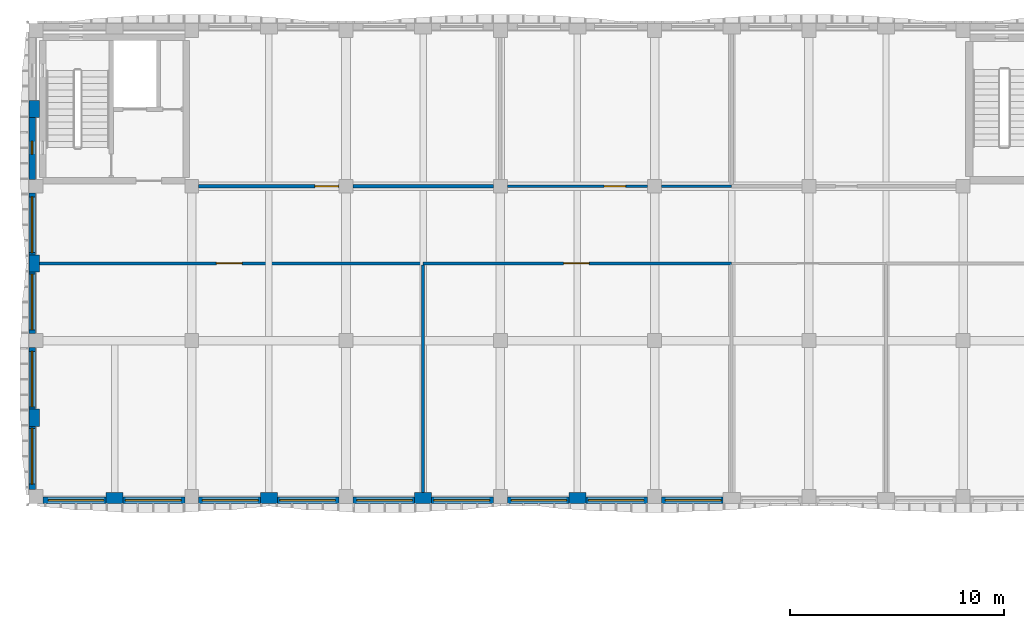
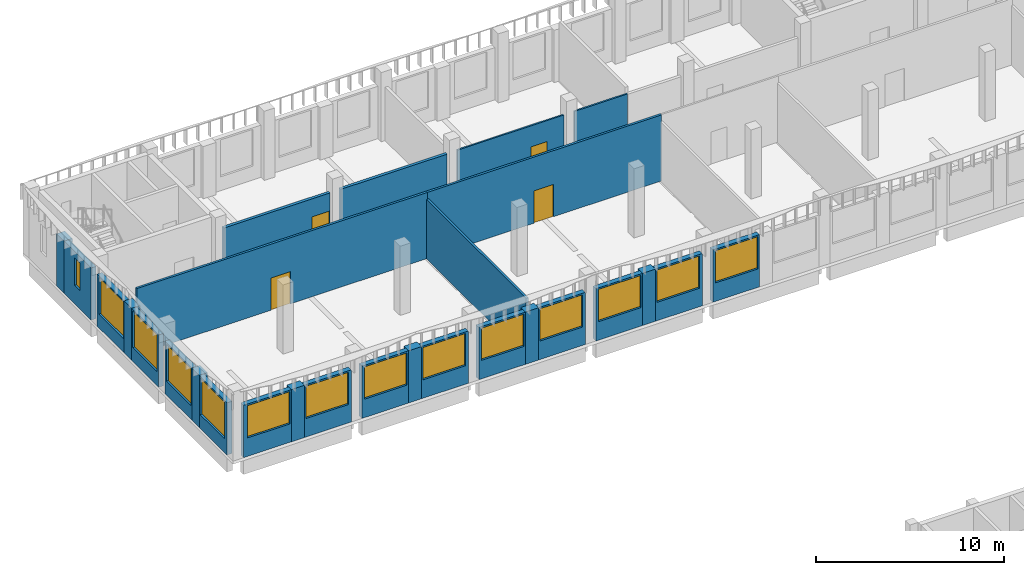
# One storey, part 24 of 54: 28 walls, 14 windows, 4 doors, 18 openings.
"""IFC4 building model written with IfcOpenShell, lengths in metres."""

from ifc_helpers import new_model, si_unit, direction, frame, frame_2d, origin, place, context, subcontext, project, spatial, rectangle, extrude, material, layer, layer_set, type_object, element, fill, save


model = new_model("IFC4")

# Units and contexts
model_context = context("Model", 3, precision=1e-05, world=origin(), true_north=direction((0.0, 1.0)))
body_context = subcontext(model_context, "Body", "Model", "MODEL_VIEW")
ifc_project = project(units=[si_unit("LENGTHUNIT", "METRE"), si_unit("AREAUNIT", "SQUARE_METRE"), si_unit("VOLUMEUNIT", "CUBIC_METRE"), si_unit("PLANEANGLEUNIT", "RADIAN"), si_unit("MASSUNIT", "GRAM", prefix="KILO")], contexts=[model_context])

# Site, building, storey
site_placement = place(None, origin())
site = spatial("IfcSite", under=ifc_project, at=site_placement, CompositionType="ELEMENT")
building_placement = place(site_placement, origin())
building = spatial("IfcBuilding", under=site, at=building_placement, Name="Ussher Court Research Institute", CompositionType="ELEMENT")
storey_placement = place(building_placement, frame((0.0, 0.0, 14.39990234375)))
storey = spatial("IfcBuildingStorey", under=building, at=storey_placement, Name="L03", CompositionType="ELEMENT", Elevation=14.39990234375)

# Wall, opening, door
ifc_material_1 = material(Name="Plasterboard on steel studs with mineral wool", Category="steel")
ifc_layer_1 = layer(ifc_material_1, 0.179931640625)
ifc_layer_set_1 = layer_set([ifc_layer_1], Name="Plasterboard on steel studs with mineral wool")
wall_type_1 = type_object("IfcWallType", Name="Acoustic twin-stud partition 180", PredefinedType="PARTITIONING", material=ifc_layer_set_1)
wall_1_placement = place(storey_placement, frame((10.52490234375, 83.199951171875, 0.0), z_axis=(0.0, 0.0, 1.0), x_axis=(1.0, 0.0, 0.0)))
wall_1 = element("IfcWall", 1, at=wall_1_placement, inside=storey, type_object=wall_type_1, Name="Partition", PredefinedType="PARTITIONING", context=body_context, shape_type="SweptSolid", body=[
    extrude(rectangle(XDim=6.550048828125, YDim=0.179931640625, at=frame_2d((3.27490234375, 0.0))), origin(), (0.0, 0.0, 1.0), 3.47021484375),
])
opening_1_placement = place(wall_1_placement, frame((5.425048828125, 0.0, 0.0)))
opening_1 = element("IfcOpeningElement", 2, at=opening_1_placement, cuts=wall_1, Name="Opening D03005", PredefinedType="OPENING", context=body_context, shape_type="SweptSolid", body=[
    extrude(rectangle(XDim=1.10009765625, YDim=2.300048828125, at=frame_2d((0.550048828125, 1.14990234375))), frame((0.0, 0.10009765625, 0.0), z_axis=(0.0, -1.0, 0.0), x_axis=(1.0, 0.0, 0.0)), (0.0, 0.0, 1.0), 0.199951171875),
])
ifc_material_2 = material(Name="Veneered timber door", Category="wood")
door_type_1 = type_object("IfcDoorType", Name="Seminar room door 1100x2300", OperationType="NOTDEFINED", PredefinedType="DOOR", material=ifc_material_2)
door_1_placement = place(opening_1_placement, origin())
door_1 = element("IfcDoor", 3, at=door_1_placement, inside=storey, type_object=door_type_1, Name="Door D03005", OperationType="SINGLE_SWING_RIGHT", OverallHeight=2.300048828125, OverallWidth=1.10009765625, PredefinedType="DOOR", context=body_context, shape_type="SweptSolid", body=[
    extrude(rectangle(XDim=1.10009765625, YDim=2.300048828125, at=frame_2d((0.550048828125, 1.14990234375))), frame((0.0, 0.02490234375, 0.0), z_axis=(0.0, -1.0, 0.0), x_axis=(1.0, 0.0, 0.0)), (0.0, 0.0, 1.0), 0.050048828125),
])
fill(opening_1, door_1)

# Wall
wall_2_placement = place(storey_placement, frame((17.72509765625, 83.199951171875, 0.0), z_axis=(0.0, 0.0, 1.0), x_axis=(1.0, 0.0, 0.0)))
element("IfcWall", 4, at=wall_2_placement, inside=storey, type_object=wall_type_1, Name="Partition", PredefinedType="PARTITIONING", context=body_context, shape_type="SweptSolid", body=[
    extrude(rectangle(XDim=6.5498046875, YDim=0.179931640625, at=frame_2d((3.27490234375, 0.0))), origin(), (0.0, 0.0, 1.0), 3.47021484375),
])

# Wall, opening, window
ifc_material_3 = material(Name="Blockwork with cream render", Category="masonry")
ifc_layer_2 = layer(ifc_material_3, 0.300048828125)
ifc_layer_set_2 = layer_set([ifc_layer_2], Name="Blockwork with cream render")
wall_type_2 = type_object("IfcWallType", Name="External wall 300 cream render", PredefinedType="SOLIDWALL", material=ifc_layer_set_2)
wall_3_placement = place(storey_placement, frame((2.75, 69.050048828125, 0.0), z_axis=(0.0, 0.0, 1.0), x_axis=(0.0, 1.0, 0.0)))
wall_3 = element("IfcWall", 5, at=wall_3_placement, inside=storey, type_object=wall_type_2, Name="External wall EW1 L03", PredefinedType="SOLIDWALL", context=body_context, shape_type="SweptSolid", body=[
    extrude(rectangle(XDim=2.949951171875, YDim=0.300048828125, at=frame_2d((1.47509765625, 0.0))), origin(), (0.0, 0.0, 1.0), 3.400146484375),
])
opening_2_placement = place(wall_3_placement, frame((0.25, 0.0, 0.89990234375)))
opening_2 = element("IfcOpeningElement", 6, at=opening_2_placement, cuts=wall_3, Name="Opening W01", PredefinedType="OPENING", context=body_context, shape_type="SweptSolid", body=[
    extrude(rectangle(XDim=2.60009765625, YDim=2.39990234375, at=frame_2d((1.300048828125, 1.199951171875))), frame((0.0, 0.16015625, 0.0), z_axis=(0.0, -1.0, 0.0), x_axis=(1.0, 0.0, 0.0)), (0.0, 0.0, 1.0), 0.320068359375),
])
ifc_material_4 = material(Name="Bronze anodised aluminium with double glazing", Category="aluminium")
window_type_1 = type_object("IfcWindowType", Name="Laboratory bay window 2600x2400", PartitioningType="DOUBLE_PANEL_VERTICAL", PredefinedType="WINDOW", material=ifc_material_4)
window_1_placement = place(opening_2_placement, origin())
window_1 = element("IfcWindow", 7, at=window_1_placement, inside=storey, type_object=window_type_1, Name="Window W01 L03", OverallHeight=2.39990234375, OverallWidth=2.60009765625, PartitioningType="SINGLE_PANEL", PredefinedType="WINDOW", context=body_context, shape_type="SweptSolid", body=[
    extrude(rectangle(XDim=2.60009765625, YDim=2.39990234375, at=frame_2d((1.300048828125, 1.199951171875))), frame((0.0, 0.030029296875, 0.0), z_axis=(0.0, -1.0, 0.0), x_axis=(1.0, 0.0, 0.0)), (0.0, 0.0, 1.0), 0.06005859375),
])
fill(opening_2, window_1)

wall_4_placement = place(storey_placement, frame((2.75, 72.800048828125, 0.0), z_axis=(0.0, 0.0, 1.0), x_axis=(0.0, 1.0, 0.0)))
wall_4 = element("IfcWall", 8, at=wall_4_placement, inside=storey, type_object=wall_type_2, Name="External wall EW1 L03", PredefinedType="SOLIDWALL", context=body_context, shape_type="SweptSolid", body=[
    extrude(rectangle(XDim=2.875, YDim=0.300048828125, at=frame_2d((1.4375, 0.0))), origin(), (0.0, 0.0, 1.0), 3.400146484375),
])
opening_3_placement = place(wall_4_placement, frame((0.10009765625, 0.0, 0.89990234375)))
opening_3 = element("IfcOpeningElement", 9, at=opening_3_placement, cuts=wall_4, Name="Opening W01", PredefinedType="OPENING", context=body_context, shape_type="SweptSolid", body=[
    extrude(rectangle(XDim=2.60009765625, YDim=2.39990234375, at=frame_2d((1.300048828125, 1.199951171875))), frame((0.0, 0.16015625, 0.0), z_axis=(0.0, -1.0, 0.0), x_axis=(1.0, 0.0, 0.0)), (0.0, 0.0, 1.0), 0.320068359375),
])
window_2_placement = place(opening_3_placement, origin())
window_2 = element("IfcWindow", 10, at=window_2_placement, inside=storey, type_object=window_type_1, Name="Window W01 L03", OverallHeight=2.39990234375, OverallWidth=2.60009765625, PartitioningType="SINGLE_PANEL", PredefinedType="WINDOW", context=body_context, shape_type="SweptSolid", body=[
    extrude(rectangle(XDim=2.60009765625, YDim=2.39990234375, at=frame_2d((1.300048828125, 1.199951171875))), frame((0.0, 0.030029296875, 0.0), z_axis=(0.0, -1.0, 0.0), x_axis=(1.0, 0.0, 0.0)), (0.0, 0.0, 1.0), 0.06005859375),
])
fill(opening_3, window_2)

wall_5_placement = place(storey_placement, frame((2.75, 76.324951171875, 0.0), z_axis=(0.0, 0.0, 1.0), x_axis=(0.0, 1.0, 0.0)))
wall_5 = element("IfcWall", 11, at=wall_5_placement, inside=storey, type_object=wall_type_2, Name="External wall EW1 L03", PredefinedType="SOLIDWALL", context=body_context, shape_type="SweptSolid", body=[
    extrude(rectangle(XDim=2.875, YDim=0.300048828125, at=frame_2d((1.4375, 0.0))), origin(), (0.0, 0.0, 1.0), 3.400146484375),
])
opening_4_placement = place(wall_5_placement, frame((0.175048828125, 0.0, 0.89990234375)))
opening_4 = element("IfcOpeningElement", 12, at=opening_4_placement, cuts=wall_5, Name="Opening W01", PredefinedType="OPENING", context=body_context, shape_type="SweptSolid", body=[
    extrude(rectangle(XDim=2.60009765625, YDim=2.39990234375, at=frame_2d((1.300048828125, 1.199951171875))), frame((0.0, 0.16015625, 0.0), z_axis=(0.0, -1.0, 0.0), x_axis=(1.0, 0.0, 0.0)), (0.0, 0.0, 1.0), 0.320068359375),
])
window_3_placement = place(opening_4_placement, origin())
window_3 = element("IfcWindow", 13, at=window_3_placement, inside=storey, type_object=window_type_1, Name="Window W01 L03", OverallHeight=2.39990234375, OverallWidth=2.60009765625, PartitioningType="SINGLE_PANEL", PredefinedType="WINDOW", context=body_context, shape_type="SweptSolid", body=[
    extrude(rectangle(XDim=2.60009765625, YDim=2.39990234375, at=frame_2d((1.300048828125, 1.199951171875))), frame((0.0, 0.030029296875, 0.0), z_axis=(0.0, -1.0, 0.0), x_axis=(1.0, 0.0, 0.0)), (0.0, 0.0, 1.0), 0.06005859375),
])
fill(opening_4, window_3)

wall_6_placement = place(storey_placement, frame((2.75, 80.0, 0.0), z_axis=(0.0, 0.0, 1.0), x_axis=(0.0, 1.0, 0.0)))
wall_6 = element("IfcWall", 14, at=wall_6_placement, inside=storey, type_object=wall_type_2, Name="External wall EW1 L03", PredefinedType="SOLIDWALL", context=body_context, shape_type="SweptSolid", body=[
    extrude(rectangle(XDim=2.875, YDim=0.300048828125, at=frame_2d((1.4375, 0.0))), origin(), (0.0, 0.0, 1.0), 3.400146484375),
])
opening_5_placement = place(wall_6_placement, frame((0.10009765625, 0.0, 0.89990234375)))
opening_5 = element("IfcOpeningElement", 15, at=opening_5_placement, cuts=wall_6, Name="Opening W01", PredefinedType="OPENING", context=body_context, shape_type="SweptSolid", body=[
    extrude(rectangle(XDim=2.60009765625, YDim=2.39990234375, at=frame_2d((1.300048828125, 1.199951171875))), frame((0.0, 0.16015625, 0.0), z_axis=(0.0, -1.0, 0.0), x_axis=(1.0, 0.0, 0.0)), (0.0, 0.0, 1.0), 0.320068359375),
])
window_4_placement = place(opening_5_placement, origin())
window_4 = element("IfcWindow", 16, at=window_4_placement, inside=storey, type_object=window_type_1, Name="Window W01 L03", OverallHeight=2.39990234375, OverallWidth=2.60009765625, PartitioningType="SINGLE_PANEL", PredefinedType="WINDOW", context=body_context, shape_type="SweptSolid", body=[
    extrude(rectangle(XDim=2.60009765625, YDim=2.39990234375, at=frame_2d((1.300048828125, 1.199951171875))), frame((0.0, 0.030029296875, 0.0), z_axis=(0.0, -1.0, 0.0), x_axis=(1.0, 0.0, 0.0)), (0.0, 0.0, 1.0), 0.06005859375),
])
fill(opening_5, window_4)

wall_7_placement = place(storey_placement, frame((35.0, 68.550048828125, 0.0), z_axis=(0.0, 0.0, 1.0), x_axis=(-1.0, 0.0, 0.0)))
wall_7 = element("IfcWall", 17, at=wall_7_placement, inside=storey, type_object=wall_type_2, Name="External wall EW1 L03", PredefinedType="SOLIDWALL", context=body_context, shape_type="SweptSolid", body=[
    extrude(rectangle(XDim=2.875, YDim=0.300048828125, at=frame_2d((1.4375, 0.0))), origin(), (0.0, 0.0, 1.0), 3.400146484375),
])
opening_6_placement = place(wall_7_placement, frame((0.10009765625, 0.0, 1.199951171875)))
opening_6 = element("IfcOpeningElement", 18, at=opening_6_placement, cuts=wall_7, Name="Opening W08", PredefinedType="OPENING", context=body_context, shape_type="SweptSolid", body=[
    extrude(rectangle(XDim=2.60009765625, YDim=2.10009765625, at=frame_2d((1.300048828125, 1.050048828125))), frame((0.0, 0.16015625, 0.0), z_axis=(0.0, -1.0, 0.0), x_axis=(1.0, 0.0, 0.0)), (0.0, 0.0, 1.0), 0.320068359375),
])
ifc_material_5 = material(Name="Bronze anodised aluminium with double glazing", Category="aluminium")
window_type_2 = type_object("IfcWindowType", Name="Dry laboratory bay window 2600x2100", PartitioningType="DOUBLE_PANEL_VERTICAL", PredefinedType="WINDOW", material=ifc_material_5)
window_5_placement = place(opening_6_placement, origin())
window_5 = element("IfcWindow", 19, at=window_5_placement, inside=storey, type_object=window_type_2, Name="Window W08 L03", OverallHeight=2.10009765625, OverallWidth=2.60009765625, PartitioningType="SINGLE_PANEL", PredefinedType="WINDOW", context=body_context, shape_type="SweptSolid", body=[
    extrude(rectangle(XDim=2.60009765625, YDim=2.10009765625, at=frame_2d((1.300048828125, 1.050048828125))), frame((0.0, 0.030029296875, 0.0), z_axis=(0.0, -1.0, 0.0), x_axis=(1.0, 0.0, 0.0)), (0.0, 0.0, 1.0), 0.06005859375),
])
fill(opening_6, window_5)

wall_8_placement = place(storey_placement, frame((31.47509765625, 68.550048828125, 0.0), z_axis=(0.0, 0.0, 1.0), x_axis=(-1.0, 0.0, 0.0)))
wall_8 = element("IfcWall", 20, at=wall_8_placement, inside=storey, type_object=wall_type_2, Name="External wall EW1 L03", PredefinedType="SOLIDWALL", context=body_context, shape_type="SweptSolid", body=[
    extrude(rectangle(XDim=2.875, YDim=0.300048828125, at=frame_2d((1.4375, 0.0))), origin(), (0.0, 0.0, 1.0), 3.400146484375),
])
opening_7_placement = place(wall_8_placement, frame((0.175048828125, 0.0, 1.199951171875)))
opening_7 = element("IfcOpeningElement", 21, at=opening_7_placement, cuts=wall_8, Name="Opening W08", PredefinedType="OPENING", context=body_context, shape_type="SweptSolid", body=[
    extrude(rectangle(XDim=2.60009765625, YDim=2.10009765625, at=frame_2d((1.300048828125, 1.050048828125))), frame((0.0, 0.16015625, 0.0), z_axis=(0.0, -1.0, 0.0), x_axis=(1.0, 0.0, 0.0)), (0.0, 0.0, 1.0), 0.320068359375),
])
window_6_placement = place(opening_7_placement, origin())
window_6 = element("IfcWindow", 22, at=window_6_placement, inside=storey, type_object=window_type_2, Name="Window W08 L03", OverallHeight=2.10009765625, OverallWidth=2.60009765625, PartitioningType="SINGLE_PANEL", PredefinedType="WINDOW", context=body_context, shape_type="SweptSolid", body=[
    extrude(rectangle(XDim=2.60009765625, YDim=2.10009765625, at=frame_2d((1.300048828125, 1.050048828125))), frame((0.0, 0.030029296875, 0.0), z_axis=(0.0, -1.0, 0.0), x_axis=(1.0, 0.0, 0.0)), (0.0, 0.0, 1.0), 0.06005859375),
])
fill(opening_7, window_6)

wall_9_placement = place(storey_placement, frame((27.800048828125, 68.550048828125, 0.0), z_axis=(0.0, 0.0, 1.0), x_axis=(-1.0, 0.0, 0.0)))
wall_9 = element("IfcWall", 23, at=wall_9_placement, inside=storey, type_object=wall_type_2, Name="External wall EW1 L03", PredefinedType="SOLIDWALL", context=body_context, shape_type="SweptSolid", body=[
    extrude(rectangle(XDim=2.875, YDim=0.300048828125, at=frame_2d((1.4375, 0.0))), origin(), (0.0, 0.0, 1.0), 3.400146484375),
])
opening_8_placement = place(wall_9_placement, frame((0.10009765625, 0.0, 1.199951171875)))
opening_8 = element("IfcOpeningElement", 24, at=opening_8_placement, cuts=wall_9, Name="Opening W08", PredefinedType="OPENING", context=body_context, shape_type="SweptSolid", body=[
    extrude(rectangle(XDim=2.60009765625, YDim=2.10009765625, at=frame_2d((1.300048828125, 1.050048828125))), frame((0.0, 0.16015625, 0.0), z_axis=(0.0, -1.0, 0.0), x_axis=(1.0, 0.0, 0.0)), (0.0, 0.0, 1.0), 0.320068359375),
])
window_7_placement = place(opening_8_placement, origin())
window_7 = element("IfcWindow", 25, at=window_7_placement, inside=storey, type_object=window_type_2, Name="Window W08 L03", OverallHeight=2.10009765625, OverallWidth=2.60009765625, PartitioningType="SINGLE_PANEL", PredefinedType="WINDOW", context=body_context, shape_type="SweptSolid", body=[
    extrude(rectangle(XDim=2.60009765625, YDim=2.10009765625, at=frame_2d((1.300048828125, 1.050048828125))), frame((0.0, 0.030029296875, 0.0), z_axis=(0.0, -1.0, 0.0), x_axis=(1.0, 0.0, 0.0)), (0.0, 0.0, 1.0), 0.06005859375),
])
fill(opening_8, window_7)

wall_10_placement = place(storey_placement, frame((24.27490234375, 68.550048828125, 0.0), z_axis=(0.0, 0.0, 1.0), x_axis=(-1.0, 0.0, 0.0)))
wall_10 = element("IfcWall", 26, at=wall_10_placement, inside=storey, type_object=wall_type_2, Name="External wall EW1 L03", PredefinedType="SOLIDWALL", context=body_context, shape_type="SweptSolid", body=[
    extrude(rectangle(XDim=2.875, YDim=0.300048828125, at=frame_2d((1.4375, 0.0))), origin(), (0.0, 0.0, 1.0), 3.400146484375),
])
opening_9_placement = place(wall_10_placement, frame((0.175048828125, 0.0, 1.199951171875)))
opening_9 = element("IfcOpeningElement", 27, at=opening_9_placement, cuts=wall_10, Name="Opening W08", PredefinedType="OPENING", context=body_context, shape_type="SweptSolid", body=[
    extrude(rectangle(XDim=2.60009765625, YDim=2.10009765625, at=frame_2d((1.300048828125, 1.050048828125))), frame((0.0, 0.16015625, 0.0), z_axis=(0.0, -1.0, 0.0), x_axis=(1.0, 0.0, 0.0)), (0.0, 0.0, 1.0), 0.320068359375),
])
window_8_placement = place(opening_9_placement, origin())
window_8 = element("IfcWindow", 28, at=window_8_placement, inside=storey, type_object=window_type_2, Name="Window W08 L03", OverallHeight=2.10009765625, OverallWidth=2.60009765625, PartitioningType="SINGLE_PANEL", PredefinedType="WINDOW", context=body_context, shape_type="SweptSolid", body=[
    extrude(rectangle(XDim=2.60009765625, YDim=2.10009765625, at=frame_2d((1.300048828125, 1.050048828125))), frame((0.0, 0.030029296875, 0.0), z_axis=(0.0, -1.0, 0.0), x_axis=(1.0, 0.0, 0.0)), (0.0, 0.0, 1.0), 0.06005859375),
])
fill(opening_9, window_8)

wall_11_placement = place(storey_placement, frame((20.60009765625, 68.550048828125, 0.0), z_axis=(0.0, 0.0, 1.0), x_axis=(-1.0, 0.0, 0.0)))
wall_11 = element("IfcWall", 29, at=wall_11_placement, inside=storey, type_object=wall_type_2, Name="External wall EW1 L03", PredefinedType="SOLIDWALL", context=body_context, shape_type="SweptSolid", body=[
    extrude(rectangle(XDim=2.875, YDim=0.300048828125, at=frame_2d((1.4375, 0.0))), origin(), (0.0, 0.0, 1.0), 3.400146484375),
])
opening_10_placement = place(wall_11_placement, frame((0.10009765625, 0.0, 1.199951171875)))
opening_10 = element("IfcOpeningElement", 30, at=opening_10_placement, cuts=wall_11, Name="Opening W08", PredefinedType="OPENING", context=body_context, shape_type="SweptSolid", body=[
    extrude(rectangle(XDim=2.60009765625, YDim=2.10009765625, at=frame_2d((1.300048828125, 1.050048828125))), frame((0.0, 0.16015625, 0.0), z_axis=(0.0, -1.0, 0.0), x_axis=(1.0, 0.0, 0.0)), (0.0, 0.0, 1.0), 0.320068359375),
])
window_9_placement = place(opening_10_placement, origin())
window_9 = element("IfcWindow", 31, at=window_9_placement, inside=storey, type_object=window_type_2, Name="Window W08 L03", OverallHeight=2.10009765625, OverallWidth=2.60009765625, PartitioningType="SINGLE_PANEL", PredefinedType="WINDOW", context=body_context, shape_type="SweptSolid", body=[
    extrude(rectangle(XDim=2.60009765625, YDim=2.10009765625, at=frame_2d((1.300048828125, 1.050048828125))), frame((0.0, 0.030029296875, 0.0), z_axis=(0.0, -1.0, 0.0), x_axis=(1.0, 0.0, 0.0)), (0.0, 0.0, 1.0), 0.06005859375),
])
fill(opening_10, window_9)

wall_12_placement = place(storey_placement, frame((17.074951171875, 68.550048828125, 0.0), z_axis=(0.0, 0.0, 1.0), x_axis=(-1.0, 0.0, 0.0)))
wall_12 = element("IfcWall", 32, at=wall_12_placement, inside=storey, type_object=wall_type_2, Name="External wall EW1 L03", PredefinedType="SOLIDWALL", context=body_context, shape_type="SweptSolid", body=[
    extrude(rectangle(XDim=2.875, YDim=0.300048828125, at=frame_2d((1.4375, 0.0))), origin(), (0.0, 0.0, 1.0), 3.400146484375),
])
opening_11_placement = place(wall_12_placement, frame((0.175048828125, 0.0, 1.199951171875)))
opening_11 = element("IfcOpeningElement", 33, at=opening_11_placement, cuts=wall_12, Name="Opening W08", PredefinedType="OPENING", context=body_context, shape_type="SweptSolid", body=[
    extrude(rectangle(XDim=2.60009765625, YDim=2.10009765625, at=frame_2d((1.300048828125, 1.050048828125))), frame((0.0, 0.16015625, 0.0), z_axis=(0.0, -1.0, 0.0), x_axis=(1.0, 0.0, 0.0)), (0.0, 0.0, 1.0), 0.320068359375),
])
window_10_placement = place(opening_11_placement, origin())
window_10 = element("IfcWindow", 34, at=window_10_placement, inside=storey, type_object=window_type_2, Name="Window W08 L03", OverallHeight=2.10009765625, OverallWidth=2.60009765625, PartitioningType="SINGLE_PANEL", PredefinedType="WINDOW", context=body_context, shape_type="SweptSolid", body=[
    extrude(rectangle(XDim=2.60009765625, YDim=2.10009765625, at=frame_2d((1.300048828125, 1.050048828125))), frame((0.0, 0.030029296875, 0.0), z_axis=(0.0, -1.0, 0.0), x_axis=(1.0, 0.0, 0.0)), (0.0, 0.0, 1.0), 0.06005859375),
])
fill(opening_11, window_10)

wall_13_placement = place(storey_placement, frame((13.39990234375, 68.550048828125, 0.0), z_axis=(0.0, 0.0, 1.0), x_axis=(-1.0, 0.0, 0.0)))
wall_13 = element("IfcWall", 35, at=wall_13_placement, inside=storey, type_object=wall_type_2, Name="External wall EW1 L03", PredefinedType="SOLIDWALL", context=body_context, shape_type="SweptSolid", body=[
    extrude(rectangle(XDim=2.875, YDim=0.300048828125, at=frame_2d((1.4375, 0.0))), origin(), (0.0, 0.0, 1.0), 3.400146484375),
])
opening_12_placement = place(wall_13_placement, frame((0.10009765625, 0.0, 1.199951171875)))
opening_12 = element("IfcOpeningElement", 36, at=opening_12_placement, cuts=wall_13, Name="Opening W08", PredefinedType="OPENING", context=body_context, shape_type="SweptSolid", body=[
    extrude(rectangle(XDim=2.60009765625, YDim=2.10009765625, at=frame_2d((1.300048828125, 1.050048828125))), frame((0.0, 0.16015625, 0.0), z_axis=(0.0, -1.0, 0.0), x_axis=(1.0, 0.0, 0.0)), (0.0, 0.0, 1.0), 0.320068359375),
])
window_11_placement = place(opening_12_placement, origin())
window_11 = element("IfcWindow", 37, at=window_11_placement, inside=storey, type_object=window_type_2, Name="Window W08 L03", OverallHeight=2.10009765625, OverallWidth=2.60009765625, PartitioningType="SINGLE_PANEL", PredefinedType="WINDOW", context=body_context, shape_type="SweptSolid", body=[
    extrude(rectangle(XDim=2.60009765625, YDim=2.10009765625, at=frame_2d((1.300048828125, 1.050048828125))), frame((0.0, 0.030029296875, 0.0), z_axis=(0.0, -1.0, 0.0), x_axis=(1.0, 0.0, 0.0)), (0.0, 0.0, 1.0), 0.06005859375),
])
fill(opening_12, window_11)

wall_14_placement = place(storey_placement, frame((9.875, 68.550048828125, 0.0), z_axis=(0.0, 0.0, 1.0), x_axis=(-1.0, 0.0, 0.0)))
wall_14 = element("IfcWall", 38, at=wall_14_placement, inside=storey, type_object=wall_type_2, Name="External wall EW1 L03", PredefinedType="SOLIDWALL", context=body_context, shape_type="SweptSolid", body=[
    extrude(rectangle(XDim=2.875, YDim=0.300048828125, at=frame_2d((1.4375, 0.0))), origin(), (0.0, 0.0, 1.0), 3.400146484375),
])
opening_13_placement = place(wall_14_placement, frame((0.175048828125, 0.0, 1.199951171875)))
opening_13 = element("IfcOpeningElement", 39, at=opening_13_placement, cuts=wall_14, Name="Opening W08", PredefinedType="OPENING", context=body_context, shape_type="SweptSolid", body=[
    extrude(rectangle(XDim=2.60009765625, YDim=2.10009765625, at=frame_2d((1.300048828125, 1.050048828125))), frame((0.0, 0.16015625, 0.0), z_axis=(0.0, -1.0, 0.0), x_axis=(1.0, 0.0, 0.0)), (0.0, 0.0, 1.0), 0.320068359375),
])
window_12_placement = place(opening_13_placement, origin())
window_12 = element("IfcWindow", 40, at=window_12_placement, inside=storey, type_object=window_type_2, Name="Window W08 L03", OverallHeight=2.10009765625, OverallWidth=2.60009765625, PartitioningType="SINGLE_PANEL", PredefinedType="WINDOW", context=body_context, shape_type="SweptSolid", body=[
    extrude(rectangle(XDim=2.60009765625, YDim=2.10009765625, at=frame_2d((1.300048828125, 1.050048828125))), frame((0.0, 0.030029296875, 0.0), z_axis=(0.0, -1.0, 0.0), x_axis=(1.0, 0.0, 0.0)), (0.0, 0.0, 1.0), 0.06005859375),
])
fill(opening_13, window_12)

wall_15_placement = place(storey_placement, frame((6.199951171875, 68.550048828125, 0.0), z_axis=(0.0, 0.0, 1.0), x_axis=(-1.0, 0.0, 0.0)))
wall_15 = element("IfcWall", 41, at=wall_15_placement, inside=storey, type_object=wall_type_2, Name="External wall EW1 L03", PredefinedType="SOLIDWALL", context=body_context, shape_type="SweptSolid", body=[
    extrude(rectangle(XDim=2.949951171875, YDim=0.300048828125, at=frame_2d((1.47509765625, 0.0))), origin(), (0.0, 0.0, 1.0), 3.400146484375),
])
opening_14_placement = place(wall_15_placement, frame((0.10009765625, 0.0, 1.199951171875)))
opening_14 = element("IfcOpeningElement", 42, at=opening_14_placement, cuts=wall_15, Name="Opening W08", PredefinedType="OPENING", context=body_context, shape_type="SweptSolid", body=[
    extrude(rectangle(XDim=2.60009765625, YDim=2.10009765625, at=frame_2d((1.300048828125, 1.050048828125))), frame((0.0, 0.16015625, 0.0), z_axis=(0.0, -1.0, 0.0), x_axis=(1.0, 0.0, 0.0)), (0.0, 0.0, 1.0), 0.320068359375),
])
window_13_placement = place(opening_14_placement, origin())
window_13 = element("IfcWindow", 43, at=window_13_placement, inside=storey, type_object=window_type_2, Name="Window W08 L03", OverallHeight=2.10009765625, OverallWidth=2.60009765625, PartitioningType="SINGLE_PANEL", PredefinedType="WINDOW", context=body_context, shape_type="SweptSolid", body=[
    extrude(rectangle(XDim=2.60009765625, YDim=2.10009765625, at=frame_2d((1.300048828125, 1.050048828125))), frame((0.0, 0.030029296875, 0.0), z_axis=(0.0, -1.0, 0.0), x_axis=(1.0, 0.0, 0.0)), (0.0, 0.0, 1.0), 0.06005859375),
])
fill(opening_14, window_13)

ifc_material_6 = material(Name="Limestone facing on blockwork", Category="masonry")
ifc_layer_3 = layer(ifc_material_6, 0.300048828125)
ifc_layer_set_3 = layer_set([ifc_layer_3], Name="Limestone facing on blockwork")
wall_type_3 = type_object("IfcWallType", Name="External wall 300 stair enclosure", PredefinedType="SOLIDWALL", material=ifc_layer_set_3)
wall_16_placement = place(storey_placement, frame((2.75, 83.52490234375, 0.0), z_axis=(0.0, 0.0, 1.0), x_axis=(0.0, 1.0, 0.0)))
wall_16 = element("IfcWall", 44, at=wall_16_placement, inside=storey, type_object=wall_type_3, Name="External wall EW5 L03", PredefinedType="SOLIDWALL", context=body_context, shape_type="SweptSolid", body=[
    extrude(rectangle(XDim=2.875, YDim=0.300048828125, at=frame_2d((1.4375, 0.0))), origin(), (0.0, 0.0, 1.0), 3.400146484375),
])
opening_15_placement = place(wall_16_placement, frame((1.175048828125, 0.0, 1.199951171875)))
opening_15 = element("IfcOpeningElement", 45, at=opening_15_placement, cuts=wall_16, Name="Opening W25", PredefinedType="OPENING", context=body_context, shape_type="SweptSolid", body=[
    extrude(rectangle(XDim=0.60009765625, YDim=1.800048828125, at=frame_2d((0.300048828125, 0.89990234375))), frame((0.0, 0.16015625, 0.0), z_axis=(0.0, -1.0, 0.0), x_axis=(1.0, 0.0, 0.0)), (0.0, 0.0, 1.0), 0.320068359375),
])
ifc_material_7 = material(Name="Bronze anodised aluminium with double glazing", Category="aluminium")
window_type_3 = type_object("IfcWindowType", Name="Stair light slot window 600x1800 fire-resisting glazing", PartitioningType="SINGLE_PANEL", PredefinedType="WINDOW", material=ifc_material_7)
window_14_placement = place(opening_15_placement, origin())
window_14 = element("IfcWindow", 46, at=window_14_placement, inside=storey, type_object=window_type_3, Name="Window W25 L03", OverallHeight=1.800048828125, OverallWidth=0.60009765625, PartitioningType="SINGLE_PANEL", PredefinedType="WINDOW", context=body_context, shape_type="SweptSolid", body=[
    extrude(rectangle(XDim=0.60009765625, YDim=1.800048828125, at=frame_2d((0.300048828125, 0.89990234375))), frame((0.0, 0.030029296875, 0.0), z_axis=(0.0, -1.0, 0.0), x_axis=(1.0, 0.0, 0.0)), (0.0, 0.0, 1.0), 0.06005859375),
])
fill(opening_15, window_14)

# Wall, opening, door
ifc_material_8 = material(Name="Plastered blockwork", Category="masonry")
ifc_layer_4 = layer(ifc_material_8, 0.139892578125)
ifc_layer_set_4 = layer_set([ifc_layer_4], Name="Plastered blockwork")
wall_type_4 = type_object("IfcWallType", Name="Laboratory blockwork partition 140", PredefinedType="PARTITIONING", material=ifc_layer_set_4)
wall_17_placement = place(storey_placement, frame((21.0, 79.60009765625, 0.0), z_axis=(0.0, 0.0, 1.0), x_axis=(-1.0, 0.0, 0.0)))
wall_17 = element("IfcWall", 47, at=wall_17_placement, inside=storey, type_object=wall_type_4, Name="Partition", PredefinedType="PARTITIONING", context=body_context, shape_type="SweptSolid", body=[
    extrude(rectangle(XDim=17.89990234375, YDim=0.139892578125, at=frame_2d((8.949951171875, 0.0))), origin(), (0.0, 0.0, 1.0), 4.300048828125),
])
opening_16_placement = place(wall_17_placement, frame((8.449951171875, 0.0, 0.0)))
opening_16 = element("IfcOpeningElement", 48, at=opening_16_placement, cuts=wall_17, Name="Opening D03004", PredefinedType="OPENING", context=body_context, shape_type="SweptSolid", body=[
    extrude(rectangle(XDim=1.199951171875, YDim=2.10009765625, at=frame_2d((0.60009765625, 1.050048828125))), frame((0.0, 0.080078125, 0.0), z_axis=(0.0, -1.0, 0.0), x_axis=(1.0, 0.0, 0.0)), (0.0, 0.0, 1.0), 0.159912109375),
])
ifc_material_9 = material(Name="Veneered timber door", Category="wood")
door_type_2 = type_object("IfcDoorType", Name="Laboratory door 1200x2100", OperationType="NOTDEFINED", PredefinedType="DOOR", material=ifc_material_9)
door_2_placement = place(opening_16_placement, origin())
door_2 = element("IfcDoor", 49, at=door_2_placement, inside=storey, type_object=door_type_2, Name="Door D03004", OperationType="SINGLE_SWING_RIGHT", OverallHeight=2.10009765625, OverallWidth=1.199951171875, PredefinedType="DOOR", context=body_context, shape_type="SweptSolid", body=[
    extrude(rectangle(XDim=1.199951171875, YDim=2.10009765625, at=frame_2d((0.60009765625, 1.050048828125))), frame((0.0, 0.02490234375, 0.0), z_axis=(0.0, -1.0, 0.0), x_axis=(1.0, 0.0, 0.0)), (0.0, 0.0, 1.0), 0.050048828125),
])
fill(opening_16, door_2)

wall_18_placement = place(storey_placement, frame((35.39990234375, 79.60009765625, 0.0), z_axis=(0.0, 0.0, 1.0), x_axis=(-1.0, 0.0, 0.0)))
wall_18 = element("IfcWall", 50, at=wall_18_placement, inside=storey, type_object=wall_type_4, Name="Partition", PredefinedType="PARTITIONING", context=body_context, shape_type="SweptSolid", body=[
    extrude(rectangle(XDim=14.39990234375, YDim=0.139892578125, at=frame_2d((7.199951171875, 0.0))), origin(), (0.0, 0.0, 1.0), 4.300048828125),
])
opening_17_placement = place(wall_18_placement, frame((6.64990234375, 0.0, 0.0)))
opening_17 = element("IfcOpeningElement", 51, at=opening_17_placement, cuts=wall_18, Name="Opening D03006", PredefinedType="OPENING", context=body_context, shape_type="SweptSolid", body=[
    extrude(rectangle(XDim=1.199951171875, YDim=2.10009765625, at=frame_2d((0.60009765625, 1.050048828125))), frame((0.0, 0.080078125, 0.0), z_axis=(0.0, -1.0, 0.0), x_axis=(1.0, 0.0, 0.0)), (0.0, 0.0, 1.0), 0.159912109375),
])
door_3_placement = place(opening_17_placement, origin())
door_3 = element("IfcDoor", 52, at=door_3_placement, inside=storey, type_object=door_type_2, Name="Door D03006", OperationType="SINGLE_SWING_RIGHT", OverallHeight=2.10009765625, OverallWidth=1.199951171875, PredefinedType="DOOR", context=body_context, shape_type="SweptSolid", body=[
    extrude(rectangle(XDim=1.199951171875, YDim=2.10009765625, at=frame_2d((0.60009765625, 1.050048828125))), frame((0.0, 0.02490234375, 0.0), z_axis=(0.0, -1.0, 0.0), x_axis=(1.0, 0.0, 0.0)), (0.0, 0.0, 1.0), 0.050048828125),
])
fill(opening_17, door_3)

# Wall
wall_19_placement = place(storey_placement, frame((21.0, 68.89990234375, 0.0), z_axis=(0.0, 0.0, 1.0), x_axis=(0.0, 1.0, 0.0)))
element("IfcWall", 53, at=wall_19_placement, inside=storey, type_object=wall_type_4, Name="Partition", PredefinedType="PARTITIONING", context=body_context, shape_type="SweptSolid", body=[
    extrude(rectangle(XDim=10.630126953125, YDim=0.139892578125, at=frame_2d((5.31494140625, 0.0))), origin(), (0.0, 0.0, 1.0), 3.8701171875),
])

# Wall, opening, door
ifc_material_10 = material(Name="Plastered blockwork", Category="masonry")
ifc_layer_5 = layer(ifc_material_10, 0.10009765625)
ifc_layer_set_5 = layer_set([ifc_layer_5], Name="Plastered blockwork")
wall_type_5 = type_object("IfcWallType", Name="Partition plastered blockwork 100", PredefinedType="PARTITIONING", material=ifc_layer_set_5)
wall_20_placement = place(storey_placement, frame((24.925048828125, 83.199951171875, 0.0), z_axis=(0.0, 0.0, 1.0), x_axis=(1.0, 0.0, 0.0)))
wall_20 = element("IfcWall", 54, at=wall_20_placement, inside=storey, type_object=wall_type_5, Name="Partition", PredefinedType="PARTITIONING", context=body_context, shape_type="SweptSolid", body=[
    extrude(rectangle(XDim=6.550048828125, YDim=0.10009765625, at=frame_2d((3.27490234375, 0.0))), origin(), (0.0, 0.0, 1.0), 3.47021484375),
])
opening_18_placement = place(wall_20_placement, frame((4.52490234375, 0.0, 0.0)))
opening_18 = element("IfcOpeningElement", 55, at=opening_18_placement, cuts=wall_20, Name="Opening D03007", PredefinedType="OPENING", context=body_context, shape_type="SweptSolid", body=[
    extrude(rectangle(XDim=1.0, YDim=2.10009765625, at=frame_2d((0.5, 1.050048828125))), frame((0.0, 0.06005859375, 0.0), z_axis=(0.0, -1.0, 0.0), x_axis=(1.0, 0.0, 0.0)), (0.0, 0.0, 1.0), 0.1201171875),
])
ifc_material_11 = material(Name="Veneered timber door", Category="wood")
door_type_3 = type_object("IfcDoorType", Name="Office door 1000x2100", OperationType="NOTDEFINED", PredefinedType="DOOR", material=ifc_material_11)
door_4_placement = place(opening_18_placement, origin())
door_4 = element("IfcDoor", 56, at=door_4_placement, inside=storey, type_object=door_type_3, Name="Door D03007", OperationType="SINGLE_SWING_RIGHT", OverallHeight=2.10009765625, OverallWidth=1.0, PredefinedType="DOOR", context=body_context, shape_type="SweptSolid", body=[
    extrude(rectangle(XDim=1.0, YDim=2.10009765625, at=frame_2d((0.5, 1.050048828125))), frame((0.0, 0.02490234375, 0.0), z_axis=(0.0, -1.0, 0.0), x_axis=(1.0, 0.0, 0.0)), (0.0, 0.0, 1.0), 0.050048828125),
])
fill(opening_18, door_4)

# Walls
wall_21_placement = place(storey_placement, frame((32.125, 83.199951171875, 0.0), z_axis=(0.0, 0.0, 1.0), x_axis=(1.0, 0.0, 0.0)))
element("IfcWall", 57, at=wall_21_placement, inside=storey, type_object=wall_type_5, Name="Partition", PredefinedType="PARTITIONING", context=body_context, shape_type="SweptSolid", body=[
    extrude(rectangle(XDim=3.27490234375, YDim=0.10009765625, at=frame_2d((1.637451171875, 0.0))), origin(), (0.0, 0.0, 1.0), 3.47021484375),
])
ifc_material_12 = material(Name="Blockwork with cream render", Category="masonry")
ifc_layer_6 = layer(ifc_material_12, 0.5)
ifc_layer_set_6 = layer_set([ifc_layer_6], Name="Blockwork with cream render")
wall_type_6 = type_object("IfcWallType", Name="Pier 800x500 cream render", PredefinedType="SOLIDWALL", material=ifc_layer_set_6)
for number, where, z_axis, x_axis, name in (
    (58, (2.85009765625, 72.0, 0.0), (0.0, 0.0, 1.0), (0.0, 1.0, 0.0), "Pier PR1 L03"),
    (59, (2.85009765625, 79.199951171875, 0.0), (0.0, 0.0, 1.0), (0.0, 1.0, 0.0), "Pier PR1 L03"),
    (60, (2.85009765625, 86.39990234375, 0.0), (0.0, 0.0, 1.0), (0.0, 1.0, 0.0), "Pier PR1 L03"),
    (61, (28.60009765625, 68.64990234375, 0.0), (0.0, 0.0, 1.0), (-1.0, 0.0, 0.0), "Pier PR1 L03"),
):
    element("IfcWall", number, at=place(storey_placement, frame(where, z_axis=z_axis, x_axis=x_axis)), inside=storey, type_object=wall_type_6, Name=name, PredefinedType="SOLIDWALL", context=body_context, shape_type="SweptSolid", body=[
        extrude(rectangle(XDim=0.800048828125, YDim=0.5, at=frame_2d((0.39990234375, 0.0))), origin(), (0.0, 0.0, 1.0), 3.400146484375),
    ])
wall_22_placement = place(storey_placement, frame((21.39990234375, 68.64990234375, 0.0), z_axis=(0.0, 0.0, 1.0), x_axis=(-1.0, 0.0, 0.0)))
element("IfcWall", 62, at=wall_22_placement, inside=storey, type_object=wall_type_6, Name="Pier PR1 L03", PredefinedType="SOLIDWALL", context=body_context, shape_type="SweptSolid", body=[
    extrude(rectangle(XDim=0.7998046875, YDim=0.5, at=frame_2d((0.39990234375, 0.0))), origin(), (0.0, 0.0, 1.0), 3.400146484375),
])
for number, where, z_axis, x_axis, name in (
    (63, (14.199951171875, 68.64990234375, 0.0), (0.0, 0.0, 1.0), (-1.0, 0.0, 0.0), "Pier PR1 L03"),
    (64, (7.0, 68.64990234375, 0.0), (0.0, 0.0, 1.0), (-1.0, 0.0, 0.0), "Pier PR1 L03"),
):
    element("IfcWall", number, at=place(storey_placement, frame(where, z_axis=z_axis, x_axis=x_axis)), inside=storey, type_object=wall_type_6, Name=name, PredefinedType="SOLIDWALL", context=body_context, shape_type="SweptSolid", body=[
        extrude(rectangle(XDim=0.800048828125, YDim=0.5, at=frame_2d((0.39990234375, 0.0))), origin(), (0.0, 0.0, 1.0), 3.400146484375),
    ])

save(model, "model.ifc")
